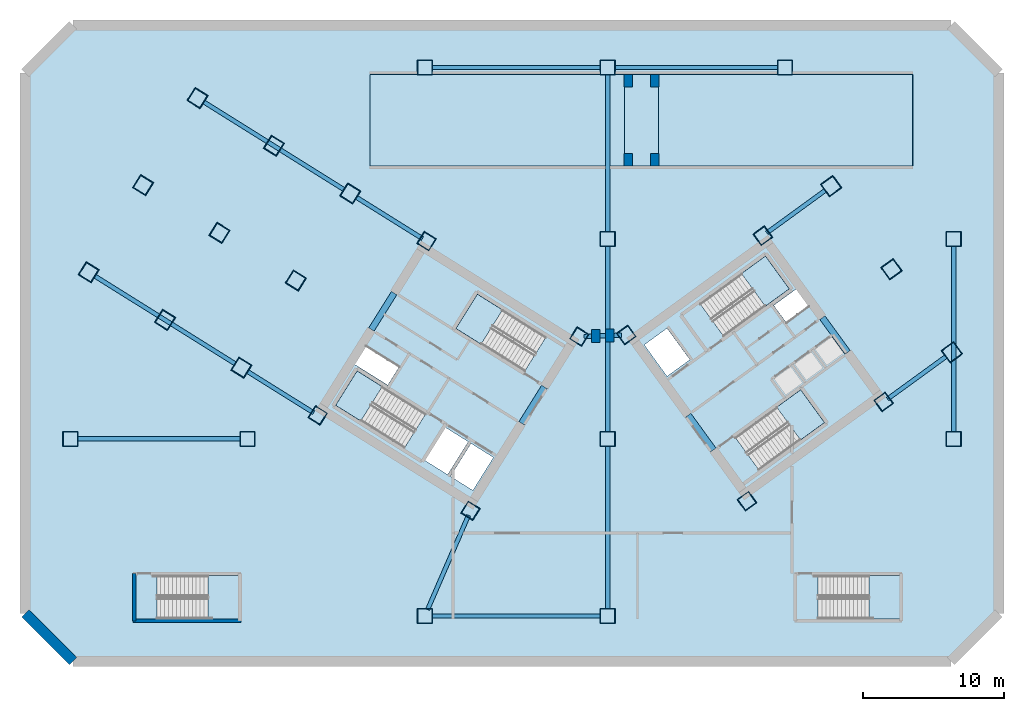
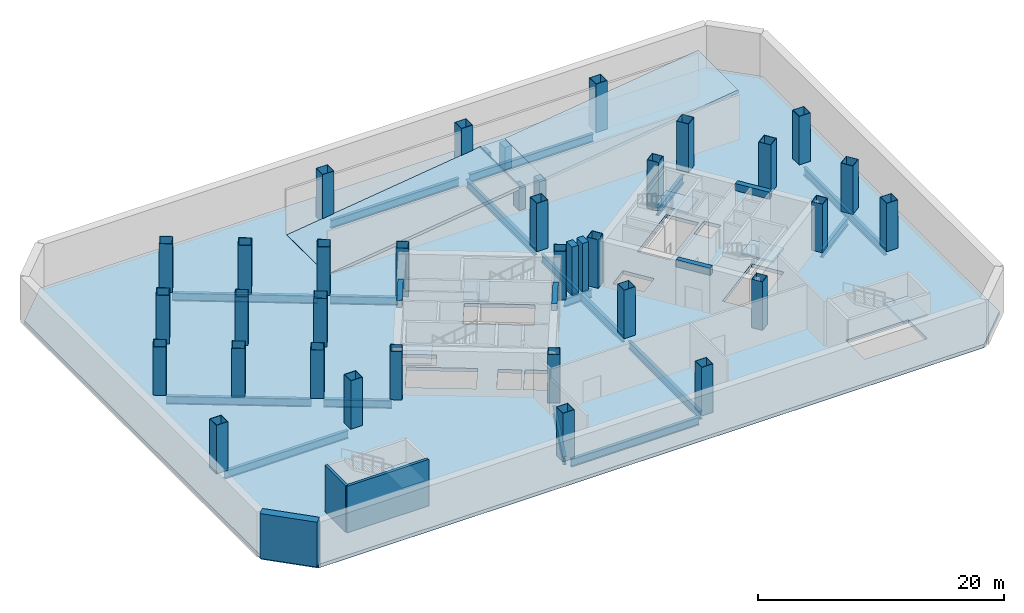
# One storey, part 1 of 9: 37 columns, 20 beams, 10 slabs, 3 walls, 6 elements without a shape of their own.
"""IFC4 building model written with IfcOpenShell, lengths in metres."""

from ifc_helpers import new_model, si_unit, direction, frame, frame_2d, origin, origin_2d, place, context, subcontext, project, spatial, polyline, rectangle, hollow_rectangle, i_section, outline, extrude, source, transform, mapped, material, layer, layer_set, material_profile, profile_set, type_object, element, aggregate, save


model = new_model("IFC4")

# Units and contexts
model_context = context("Model", 3, precision=1e-05, world=origin(), true_north=direction((0.0, 1.0)))
body_context = subcontext(model_context, "Body", "Model", "MODEL_VIEW")
ifc_project = project(units=[si_unit("LENGTHUNIT", "METRE"), si_unit("AREAUNIT", "SQUARE_METRE"), si_unit("VOLUMEUNIT", "CUBIC_METRE"), si_unit("PLANEANGLEUNIT", "RADIAN"), si_unit("MASSUNIT", "GRAM", prefix="KILO")], contexts=[model_context])

# Site, building, storey
site_placement = place(None, origin())
site = spatial("IfcSite", under=ifc_project, at=site_placement, CompositionType="ELEMENT")
building_placement = place(site_placement, origin())
building = spatial("IfcBuilding", under=site, at=building_placement, Name="Tlacorven Tower", CompositionType="ELEMENT")
storey_placement = place(building_placement, frame((0.0, 0.0, -4.800048828125)))
storey = spatial("IfcBuildingStorey", under=building, at=storey_placement, Name="B1", CompositionType="ELEMENT", Elevation=-4.800048828125)

# Columns
ifc_material_1 = material(Name="Precast concrete C50/60", Category="concrete")
ifc_material_profile_1 = material_profile(ifc_material_1, rectangle(XDim=0.60009765625, YDim=0.89990234375, at=origin_2d()), Name="RC 600X900")
ifc_profile_set_1 = profile_set([ifc_material_profile_1], Name="Precast concrete C50/60")
column_type_1 = type_object("IfcColumnType", Name="COL-PIL-01", PredefinedType="PILASTER", material=ifc_profile_set_1)
shared_shape_1 = source(origin(), body_context, "Body", "SweptSolid", [
    extrude(rectangle(XDim=0.60009765625, YDim=0.89990234375, at=origin_2d()), origin(), (0.0, 0.0, 1.0), 4.800048828125),
])
for number, where, z_axis, x_axis, name in (
    (1, (41.962158203125, 24.509521484375, 0.0), (0.0, 0.0, 1.0), (1.0, 0.0, 0.0), "B1 Concourse Bridge Sliding Seat Support Pier"),
    (2, (42.944580078125, 24.5439453125, 0.0), (0.0, 0.0, 1.0), (1.0, 0.0, 0.0), "B1 Concourse Bridge Fixed Seat Support Pier"),
):
    element("IfcColumn", number, at=place(storey_placement, frame(where, z_axis=z_axis, x_axis=x_axis)), inside=storey, type_object=column_type_1, Name=name, PredefinedType="PILASTER", context=body_context, shape_type="MappedRepresentation", body=[
        mapped(shared_shape_1, transform((0.0, 0.0, 0.0), scale=1.0)),
    ])
ifc_material_2 = material(Name="Steel S460M", Category="steel")
ifc_material_profile_2 = material_profile(ifc_material_2, hollow_rectangle(XDim=1.080078125, YDim=1.080078125, WallThickness=0.0400390625, at=origin_2d()), Name="BOX 1080X1080X40")
ifc_profile_set_2 = profile_set([ifc_material_profile_2], Name="Steel S460M")
column_type_2 = type_object("IfcColumnType", Name="COL-POD-M1", PredefinedType="COLUMN", material=ifc_profile_set_2)
shared_shape_2 = source(origin(), body_context, "Body", "SweptSolid", [
    extrude(hollow_rectangle(XDim=1.080078125, YDim=1.080078125, WallThickness=0.0400390625, at=origin_2d()), origin(), (0.0, 0.0, 1.0), 4.800048828125),
])
for number, where, z_axis, x_axis, name in (
    (3, (4.60009765625, 17.199951171875, 0.0), (0.0, 0.0, 1.0), (1.0, 0.0, 0.0), "B1 column COL-B1-P01"),
    (4, (17.199951171875, 17.199951171875, 0.0), (0.0, 0.0, 1.0), (1.0, 0.0, 0.0), "B1 column COL-B1-P02"),
    (5, (29.800048828125, 4.60009765625, 0.0), (0.0, 0.0, 1.0), (1.0, 0.0, 0.0), "B1 column COL-B1-P03"),
    (6, (29.800048828125, 43.60009765625, 0.0), (0.0, 0.0, 1.0), (1.0, 0.0, 0.0), "B1 column COL-B1-P04"),
    (7, (42.800048828125, 4.60009765625, 0.0), (0.0, 0.0, 1.0), (1.0, 0.0, 0.0), "B1 column COL-B1-P05"),
    (8, (42.800048828125, 17.199951171875, 0.0), (0.0, 0.0, 1.0), (1.0, 0.0, 0.0), "B1 column COL-B1-P06"),
    (9, (42.800048828125, 31.39990234375, 0.0), (0.0, 0.0, 1.0), (1.0, 0.0, 0.0), "B1 column COL-B1-P07"),
    (10, (42.800048828125, 43.60009765625, 0.0), (0.0, 0.0, 1.0), (1.0, 0.0, 0.0), "B1 column COL-B1-P08"),
    (11, (55.39990234375, 43.60009765625, 0.0), (0.0, 0.0, 1.0), (1.0, 0.0, 0.0), "B1 column COL-B1-P09"),
    (12, (67.39990234375, 17.199951171875, 0.0), (0.0, 0.0, 1.0), (1.0, 0.0, 0.0), "B1 column COL-B1-P10"),
    (13, (67.39990234375, 31.39990234375, 0.0), (0.0, 0.0, 1.0), (1.0, 0.0, 0.0), "B1 column COL-B1-P11"),
    (14, (24.50048828125, 34.642822265625, 0.0), (0.0, 0.0, 1.0), (-0.848048096156, 0.529919264233, 0.0), "B1 column COL-B1-WT11"),
    (15, (20.632080078125, 28.4521484375, 0.0), (0.0, 0.0, 1.0), (-0.848048096156, 0.529919264233, 0.0), "B1 column COL-B1-WT12"),
    (16, (16.763671875, 22.26123046875, 0.0), (0.0, 0.0, 1.0), (-0.848048096156, 0.529919264233, 0.0), "B1 column COL-B1-WT13"),
    (17, (19.072998046875, 38.034423828125, 0.0), (0.0, 0.0, 1.0), (-0.848048096156, 0.529919264233, 0.0), "B1 column COL-B1-WT21"),
    (18, (15.20458984375, 31.843505859375, 0.0), (0.0, 0.0, 1.0), (-0.848048096156, 0.529919264233, 0.0), "B1 column COL-B1-WT22"),
    (19, (11.336181640625, 25.65283203125, 0.0), (0.0, 0.0, 1.0), (-0.848048096156, 0.529919264233, 0.0), "B1 column COL-B1-WT23"),
    (20, (13.6455078125, 41.42578125, 0.0), (0.0, 0.0, 1.0), (-0.848048096156, 0.529919264233, 0.0), "B1 column COL-B1-WT31"),
    (21, (9.777099609375, 35.235107421875, 0.0), (0.0, 0.0, 1.0), (-0.848048096156, 0.529919264233, 0.0), "B1 column COL-B1-WT32"),
    (22, (5.90869140625, 29.044189453125, 0.0), (0.0, 0.0, 1.0), (-0.848048096156, 0.529919264233, 0.0), "B1 column COL-B1-WT33"),
    (23, (67.267822265625, 23.353515625, 0.0), (0.0, 0.0, 1.0), (0.809016994375, 0.587785252292, 0.0), "B1 column COL-B1-ET11"),
    (24, (62.976806640625, 29.25927734375, 0.0), (0.0, 0.0, 1.0), (0.809016994375, 0.587785252292, 0.0), "B1 column COL-B1-ET12"),
    (25, (58.68603515625, 35.165283203125, 0.0), (0.0, 0.0, 1.0), (0.809016994375, 0.587785252292, 0.0), "B1 column COL-B1-ET13"),
):
    element("IfcColumn", number, at=place(storey_placement, frame(where, z_axis=z_axis, x_axis=x_axis)), inside=storey, type_object=column_type_2, Name=name, PredefinedType="COLUMN", context=body_context, shape_type="MappedRepresentation", body=[
        mapped(shared_shape_2, transform((0.0, 0.0, 0.0), scale=1.0)),
    ])
ifc_material_profile_3 = material_profile(ifc_material_2, hollow_rectangle(XDim=1.0, YDim=1.0, WallThickness=0.0400390625, at=origin_2d()), Name="BOX 1000X1000X40")
ifc_profile_set_3 = profile_set([ifc_material_profile_3], Name="Steel S460M")
column_type_3 = type_object("IfcColumnType", Name="COL-TWR-S1", PredefinedType="COLUMN", material=ifc_profile_set_3)
shared_shape_3 = source(origin(), body_context, "Body", "SweptSolid", [
    extrude(hollow_rectangle(XDim=1.0, YDim=1.0, WallThickness=0.0400390625, at=origin_2d()), origin(), (0.0, 0.0, 1.0), 4.800048828125),
])
for number, where, z_axis, x_axis, name in (
    (26, (40.782958984375, 24.468505859375, 0.0), (0.0, 0.0, 1.0), (-0.848048096156, 0.529919264233, 0.0), "B1 column COL-B1-CW11"),
    (27, (33.046142578125, 12.0869140625, 0.0), (0.0, 0.0, 1.0), (-0.848048096156, 0.529919264233, 0.0), "B1 column COL-B1-CW12"),
    (28, (29.927978515625, 31.25146484375, 0.0), (0.0, 0.0, 1.0), (-0.848048096156, 0.529919264233, 0.0), "B1 column COL-B1-CW21"),
    (29, (22.191162109375, 18.869873046875, 0.0), (0.0, 0.0, 1.0), (-0.848048096156, 0.529919264233, 0.0), "B1 column COL-B1-CW22"),
    (30, (52.705322265625, 12.7734375, 0.0), (0.0, 0.0, 1.0), (0.809016994375, 0.587785252292, 0.0), "B1 column COL-B1-CE11"),
    (31, (44.123779296875, 24.5849609375, 0.0), (0.0, 0.0, 1.0), (0.809016994375, 0.587785252292, 0.0), "B1 column COL-B1-CE12"),
    (32, (62.41357421875, 19.826904296875, 0.0), (0.0, 0.0, 1.0), (0.809016994375, 0.587785252292, 0.0), "B1 column COL-B1-CE21"),
    (33, (53.83203125, 31.638427734375, 0.0), (0.0, 0.0, 1.0), (0.809016994375, 0.587785252292, 0.0), "B1 column COL-B1-CE22"),
):
    element("IfcColumn", number, at=place(storey_placement, frame(where, z_axis=z_axis, x_axis=x_axis)), inside=storey, type_object=column_type_3, Name=name, PredefinedType="COLUMN", context=body_context, shape_type="MappedRepresentation", body=[
        mapped(shared_shape_3, transform((0.0, 0.0, 0.0), scale=1.0)),
    ])
shared_shape_4 = source(origin(), body_context, "Body", "SweptSolid", [
    extrude(rectangle(XDim=0.60009765625, YDim=0.89990234375, at=origin_2d()), origin(), (0.0, 0.0, 1.0), 2.199951171875),
])
for number, where, z_axis, x_axis, name in (
    (34, (44.25, 37.050048828125, 0.0), (0.0, 0.0, 1.0), (1.0, 0.0, 0.0), "B1 Vehicle Ramp Mid-Landing Support Column 1"),
    (35, (46.14990234375, 37.050048828125, 0.0), (0.0, 0.0, 1.0), (1.0, 0.0, 0.0), "B1 Vehicle Ramp Mid-Landing Support Column 2"),
    (36, (44.25, 42.64990234375, 0.0), (0.0, 0.0, 1.0), (1.0, 0.0, 0.0), "B1 Vehicle Ramp Mid-Landing Support Column 3"),
    (37, (46.14990234375, 42.64990234375, 0.0), (0.0, 0.0, 1.0), (1.0, 0.0, 0.0), "B1 Vehicle Ramp Mid-Landing Support Column 4"),
):
    element("IfcColumn", number, at=place(storey_placement, frame(where, z_axis=z_axis, x_axis=x_axis)), inside=storey, type_object=column_type_1, Name=name, PredefinedType="PILASTER", context=body_context, shape_type="MappedRepresentation", body=[
        mapped(shared_shape_4, transform((0.0, 0.0, 0.0), scale=1.0)),
    ])

# Beams
ifc_material_3 = material(Name="Concrete C60/75", Category="concrete")
ifc_material_profile_4 = material_profile(ifc_material_3, rectangle(XDim=0.449951171875, YDim=0.699951171875, at=origin_2d()), Name="RC 450X700")
ifc_profile_set_4 = profile_set([ifc_material_profile_4], Name="Concrete C60/75")
beam_type_1 = type_object("IfcBeamType", Name="BM-LNT-700", PredefinedType="LINTEL", material=ifc_profile_set_4)
shared_shape_5 = source(origin(), body_context, "Body", "SweptSolid", [
    extrude(rectangle(XDim=0.449951171875, YDim=0.699951171875, at=origin_2d()), origin(), (0.0, 0.0, 1.0), 3.050048828125),
])
for number, where, z_axis, x_axis, name in (
    (38, (38.2998046875, 20.890625, 4.10009765625), (-0.529984549635, -0.848007297815, 0.0), (0.848007297815, -0.529984549635, 0.0), "B1 W core coupling lintel beam E1"),
    (39, (50.318359375, 16.416015625, 4.10009765625), (-0.587776590479, 0.80902328748, 0.0), (-0.80902328748, -0.587776590479, 0.0), "B1 E core coupling lintel beam E1"),
    (40, (59.856689453125, 23.345947265625, 4.10009765625), (-0.587776590479, 0.80902328748, 0.0), (-0.80902328748, -0.587776590479, 0.0), "B1 E core coupling lintel beam E2"),
):
    element("IfcBeam", number, at=place(storey_placement, frame(where, z_axis=z_axis, x_axis=x_axis)), inside=storey, type_object=beam_type_1, Name=name, PredefinedType="LINTEL", context=body_context, shape_type="MappedRepresentation", body=[
        mapped(shared_shape_5, transform((0.0, 0.0, 0.0), scale=1.0)),
    ])
shared_shape_6 = source(origin(), body_context, "Body", "SweptSolid", [
    extrude(rectangle(XDim=0.449951171875, YDim=0.699951171875, at=origin_2d()), origin(), (0.0, 0.0, 1.0), 3.0498046875),
])
beam_1_placement = place(storey_placement, frame((27.622802734375, 27.562255859375, 4.10009765625), z_axis=(-0.529926983584, -0.848043272522, 0.0), x_axis=(0.848043272522, -0.529926983584, 0.0)))
element("IfcBeam", 41, at=beam_1_placement, inside=storey, type_object=beam_type_1, Name="B1 W core coupling lintel beam E2", PredefinedType="LINTEL", context=body_context, shape_type="MappedRepresentation", body=[
    mapped(shared_shape_6, transform((0.0, 0.0, 0.0), scale=1.0)),
])
ifc_material_4 = material(Name="Steel S355J2", Category="steel")
ifc_material_profile_5 = material_profile(ifc_material_4, i_section(OverallWidth=0.300048828125, OverallDepth=0.800048828125, WebThickness=0.017578125, FlangeThickness=0.032958984375, at=origin_2d()), Name="HEB 800")
ifc_profile_set_5 = profile_set([ifc_material_profile_5], Name="Steel S355J2")
beam_type_2 = type_object("IfcBeamType", Name="BM-POD-800", PredefinedType="BEAM", material=ifc_profile_set_5)
shared_shape_7 = source(origin(), body_context, "Body", "SweptSolid", [
    extrude(i_section(OverallWidth=0.300048828125, OverallDepth=0.800048828125, WebThickness=0.017578125, FlangeThickness=0.032958984375, at=origin_2d()), origin(), (0.0, 0.0, 1.0), 12.0),
])
for number, where, z_axis, x_axis, name in (
    (42, (30.300048828125, 4.60009765625, -0.75), (1.0, 0.0, 0.0), (0.0, 1.0, 0.0), "B1 beam BM-B1-GX1-1"),
    (43, (30.300048828125, 43.60009765625, -0.75), (1.0, 0.0, 0.0), (0.0, 1.0, 0.0), "B1 beam BM-B1-GX4-1"),
):
    element("IfcBeam", number, at=place(storey_placement, frame(where, z_axis=z_axis, x_axis=x_axis)), inside=storey, type_object=beam_type_2, Name=name, PredefinedType="BEAM", context=body_context, shape_type="MappedRepresentation", body=[
        mapped(shared_shape_7, transform((0.0, 0.0, 0.0), scale=1.0)),
    ])
shared_shape_8 = source(origin(), body_context, "Body", "SweptSolid", [
    extrude(i_section(OverallWidth=0.300048828125, OverallDepth=0.800048828125, WebThickness=0.017578125, FlangeThickness=0.032958984375, at=origin_2d()), origin(), (0.0, 0.0, 1.0), 11.599853515625),
])
for number, where, z_axis, x_axis, name in (
    (44, (5.10009765625, 17.199951171875, -0.75), (1.0, 0.0, 0.0), (0.0, 1.0, 0.0), "B1 beam BM-B1-GX2-1"),
    (45, (43.300048828125, 43.60009765625, -0.75), (1.0, 0.0, 0.0), (0.0, 1.0, 0.0), "B1 beam BM-B1-GX4-2"),
    (46, (42.800048828125, 5.10009765625, -0.75), (0.0, 1.0, 0.0), (-1.0, 0.0, 0.0), "B1 beam BM-B1-GY4-1"),
):
    element("IfcBeam", number, at=place(storey_placement, frame(where, z_axis=z_axis, x_axis=x_axis)), inside=storey, type_object=beam_type_2, Name=name, PredefinedType="BEAM", context=body_context, shape_type="MappedRepresentation", body=[
        mapped(shared_shape_8, transform((0.0, 0.0, 0.0), scale=1.0)),
    ])
shared_shape_9 = source(origin(), body_context, "Body", "SweptSolid", [
    extrude(i_section(OverallWidth=0.300048828125, OverallDepth=0.800048828125, WebThickness=0.017578125, FlangeThickness=0.032958984375, at=origin_2d()), origin(), (0.0, 0.0, 1.0), 13.199951171875),
])
for number, where, z_axis, x_axis, name in (
    (47, (42.800048828125, 17.699951171875, -0.75), (0.0, 1.0, 0.0), (-1.0, 0.0, 0.0), "B1 beam BM-B1-GY4-2"),
    (48, (67.39990234375, 17.699951171875, -0.75), (0.0, 1.0, 0.0), (-1.0, 0.0, 0.0), "B1 beam BM-B1-GY6-1"),
):
    element("IfcBeam", number, at=place(storey_placement, frame(where, z_axis=z_axis, x_axis=x_axis)), inside=storey, type_object=beam_type_2, Name=name, PredefinedType="BEAM", context=body_context, shape_type="MappedRepresentation", body=[
        mapped(shared_shape_9, transform((0.0, 0.0, 0.0), scale=1.0)),
    ])
shared_shape_10 = source(origin(), body_context, "Body", "SweptSolid", [
    extrude(i_section(OverallWidth=0.300048828125, OverallDepth=0.800048828125, WebThickness=0.017578125, FlangeThickness=0.032958984375, at=origin_2d()), origin(), (0.0, 0.0, 1.0), 11.2001953125),
])
beam_2_placement = place(storey_placement, frame((42.800048828125, 31.89990234375, -0.75), z_axis=(0.0, 1.0, 0.0), x_axis=(-1.0, 0.0, 0.0)))
element("IfcBeam", 49, at=beam_2_placement, inside=storey, type_object=beam_type_2, Name="B1 beam BM-B1-GY4-3", PredefinedType="BEAM", context=body_context, shape_type="MappedRepresentation", body=[
    mapped(shared_shape_10, transform((0.0, 0.0, 0.0), scale=1.0)),
])
shared_shape_11 = source(origin(), body_context, "Body", "SweptSolid", [
    extrude(i_section(OverallWidth=0.300048828125, OverallDepth=0.800048828125, WebThickness=0.017578125, FlangeThickness=0.032958984375, at=origin_2d()), origin(), (0.0, 0.0, 1.0), 5.550048828125),
])
beam_3_placement = place(storey_placement, frame((29.631103515625, 31.436767578125, -0.75), z_axis=(-0.848032900817, 0.529943581084, 0.0), x_axis=(-0.529943581084, -0.848032900817, 0.0)))
element("IfcBeam", 50, at=beam_3_placement, inside=storey, type_object=beam_type_2, Name="B1 beam BM-B1-WTG2-1", PredefinedType="BEAM", context=body_context, shape_type="MappedRepresentation", body=[
    mapped(shared_shape_11, transform((0.0, 0.0, 0.0), scale=1.0)),
])
shared_shape_12 = source(origin(), body_context, "Body", "SweptSolid", [
    extrude(i_section(OverallWidth=0.300048828125, OverallDepth=0.800048828125, WebThickness=0.017578125, FlangeThickness=0.032958984375, at=origin_2d()), origin(), (0.0, 0.0, 1.0), 11.800048828125),
])
for number, where, z_axis, x_axis, name in (
    (51, (24.076416015625, 34.90771484375, -0.75), (-0.848045956394, 0.529922688554, 0.0), (-0.529922688554, -0.848045956394, 0.0), "B1 beam BM-B1-WTG3-1"),
    (52, (16.339599609375, 22.5263671875, -0.75), (-0.848055254246, 0.529907808723, 0.0), (-0.529907808723, -0.848055254246, 0.0), "B1 beam BM-B1-WTG3-2"),
):
    element("IfcBeam", number, at=place(storey_placement, frame(where, z_axis=z_axis, x_axis=x_axis)), inside=storey, type_object=beam_type_2, Name=name, PredefinedType="BEAM", context=body_context, shape_type="MappedRepresentation", body=[
        mapped(shared_shape_12, transform((0.0, 0.0, 0.0), scale=1.0)),
    ])
shared_shape_13 = source(origin(), body_context, "Body", "SweptSolid", [
    extrude(i_section(OverallWidth=0.300048828125, OverallDepth=0.800048828125, WebThickness=0.017578125, FlangeThickness=0.032958984375, at=origin_2d()), origin(), (0.0, 0.0, 1.0), 5.150146484375),
])
for number, where, z_axis, x_axis, name in (
    (53, (62.69677734375, 20.032470703125, -0.75), (0.809020934422, 0.587779829245, 0.0), (-0.587779829245, 0.809020934422, 0.0), "B1 beam BM-B1-ETG2-1"),
    (54, (54.114990234375, 31.84423828125, -0.75), (0.809020934422, 0.587779829245, 0.0), (-0.587779829245, 0.809020934422, 0.0), "B1 beam BM-B1-ETG2-2"),
):
    element("IfcBeam", number, at=place(storey_placement, frame(where, z_axis=z_axis, x_axis=x_axis)), inside=storey, type_object=beam_type_2, Name=name, PredefinedType="BEAM", context=body_context, shape_type="MappedRepresentation", body=[
        mapped(shared_shape_13, transform((0.0, 0.0, 0.0), scale=1.0)),
    ])
shared_shape_14 = source(origin(), body_context, "Body", "SweptSolid", [
    extrude(i_section(OverallWidth=0.300048828125, OverallDepth=0.800048828125, WebThickness=0.017578125, FlangeThickness=0.032958984375, at=origin_2d()), origin(), (0.0, 0.0, 1.0), 5.5498046875),
])
beam_4_placement = place(storey_placement, frame((21.894287109375, 19.055419921875, -0.75), z_axis=(-0.848052670068, 0.529911944374, 0.0), x_axis=(-0.529911944374, -0.848052670068, 0.0)))
element("IfcBeam", 55, at=beam_4_placement, inside=storey, type_object=beam_type_2, Name="B1 beam BM-B1-WTG2-2", PredefinedType="BEAM", context=body_context, shape_type="MappedRepresentation", body=[
    mapped(shared_shape_14, transform((0.0, 0.0, 0.0), scale=1.0)),
])
shared_shape_15 = source(origin(), body_context, "Body", "SweptSolid", [
    extrude(i_section(OverallWidth=0.300048828125, OverallDepth=0.800048828125, WebThickness=0.017578125, FlangeThickness=0.032958984375, at=origin_2d()), origin(), (0.0, 0.0, 1.0), 2.642822265625),
])
beam_5_placement = place(storey_placement, frame((41.1328125, 24.480712890625, -0.75), z_axis=(0.999393314814, 0.034828182629, 0.0), x_axis=(-0.034828182629, 0.999393314814, 0.0)))
element("IfcBeam", 56, at=beam_5_placement, inside=storey, type_object=beam_type_2, Name="B1 beam BM-B1-PKNK1", PredefinedType="BEAM", context=body_context, shape_type="MappedRepresentation", body=[
    mapped(shared_shape_15, transform((0.0, 0.0, 0.0), scale=1.0)),
])
shared_shape_16 = source(origin(), body_context, "Body", "SweptSolid", [
    extrude(i_section(OverallWidth=0.300048828125, OverallDepth=0.800048828125, WebThickness=0.017578125, FlangeThickness=0.032958984375, at=origin_2d()), origin(), (0.0, 0.0, 1.0), 7.310302734375),
])
beam_6_placement = place(storey_placement, frame((32.906982421875, 11.765869140625, -0.75), z_axis=(-0.397817365016, -0.917464628251, 0.0), x_axis=(0.917464628251, -0.397817365016, 0.0)))
element("IfcBeam", 57, at=beam_6_placement, inside=storey, type_object=beam_type_2, Name="B1 beam BM-B1-PKNK2", PredefinedType="BEAM", context=body_context, shape_type="MappedRepresentation", body=[
    mapped(shared_shape_16, transform((0.0, 0.0, 0.0), scale=1.0)),
])

# Slab
ifc_material_5 = material(Name="Concrete C40/50", Category="concrete")
ifc_layer_1 = layer(ifc_material_5, 0.199951171875)
ifc_layer_set_1 = layer_set([ifc_layer_1], Name="Concrete C40/50")
slab_type_1 = type_object("IfcSlabType", Name="SL-LND-200", PredefinedType="LANDING", material=ifc_layer_set_1)
slab_1_placement = place(storey_placement, frame((0.0, 0.0, 2.199951171875)))
element("IfcSlab", 58, at=slab_1_placement, inside=storey, type_object=slab_type_1, Name="B1 Vehicle Ramp Mid-Landing", PredefinedType="LANDING", context=body_context, shape_type="SweptSolid", body=[
    extrude(outline(polyline([(44.0, 36.60009765625), (46.39990234375, 36.60009765625), (46.39990234375, 43.10009765625), (44.0, 43.10009765625), (44.0, 36.60009765625)])), origin(), (0.0, 0.0, 1.0), 0.2001953125),
])

# Stair, slab
stair_type_1 = type_object("IfcStairType", Name="ST-CORE-DLG", PredefinedType="HALF_TURN_STAIR", material=ifc_material_5)
stair_1_placement = place(storey_placement, origin())
stair_1 = element("IfcStair", 59, at=stair_1_placement, inside=storey, type_object=stair_type_1, Name="B1 Protected Exit Stair West 1", PredefinedType="HALF_TURN_STAIR")
slab_2_placement = place(storey_placement, frame((0.0, 0.0, 2.199951171875)))
slab_2 = element("IfcSlab", 60, at=slab_2_placement, type_object=slab_type_1, Name="ST-W1 landing 1", PredefinedType="LANDING", context=body_context, shape_type="SweptSolid", body=[
    extrude(outline(polyline([(26.778564453125, 20.90869140625), (24.9892578125, 22.02685546875), (23.463134765625, 19.58447265625), (25.25244140625, 18.46630859375), (26.778564453125, 20.90869140625)])), origin(), (0.0, 0.0, 1.0), 0.2001953125),
])
aggregate(stair_1, [slab_2])

stair_2_placement = place(storey_placement, origin())
stair_2 = element("IfcStair", 61, at=stair_2_placement, inside=storey, type_object=stair_type_1, Name="B1 Protected Exit Stair West 2", PredefinedType="HALF_TURN_STAIR")
slab_3_placement = place(storey_placement, frame((0.0, 0.0, 2.199951171875)))
slab_3 = element("IfcSlab", 62, at=slab_3_placement, type_object=slab_type_1, Name="ST-W2 landing 1", PredefinedType="LANDING", context=body_context, shape_type="SweptSolid", body=[
    extrude(outline(polyline([(35.330078125, 26.366455078125), (33.540771484375, 27.484375), (32.0146484375, 25.0419921875), (33.803955078125, 23.924072265625), (35.330078125, 26.366455078125)])), origin(), (0.0, 0.0, 1.0), 0.2001953125),
])
aggregate(stair_2, [slab_3])

stair_3_placement = place(storey_placement, origin())
stair_3 = element("IfcStair", 63, at=stair_3_placement, inside=storey, type_object=stair_type_1, Name="B1 Protected Exit Stair East 1", PredefinedType="HALF_TURN_STAIR")
slab_4_placement = place(storey_placement, frame((0.0, 0.0, 2.199951171875)))
slab_4 = element("IfcSlab", 64, at=slab_4_placement, type_object=slab_type_1, Name="ST-E1 landing 1", PredefinedType="LANDING", context=body_context, shape_type="SweptSolid", body=[
    extrude(outline(polyline([(54.00390625, 26.621337890625), (55.7109375, 27.861572265625), (54.01806640625, 30.19140625), (52.31103515625, 28.951171875), (54.00390625, 26.621337890625)])), origin(), (0.0, 0.0, 1.0), 0.2001953125),
])
aggregate(stair_3, [slab_4])

stair_4_placement = place(storey_placement, origin())
stair_4 = element("IfcStair", 65, at=stair_4_placement, inside=storey, type_object=stair_type_1, Name="B1 Protected Exit Stair East 2", PredefinedType="HALF_TURN_STAIR")
slab_5_placement = place(storey_placement, frame((0.0, 0.0, 2.199951171875)))
slab_5 = element("IfcSlab", 66, at=slab_5_placement, type_object=slab_type_1, Name="ST-E2 landing 1", PredefinedType="LANDING", context=body_context, shape_type="SweptSolid", body=[
    extrude(outline(polyline([(56.5078125, 17.1181640625), (58.21484375, 18.3583984375), (56.52197265625, 20.6884765625), (54.81494140625, 19.4482421875), (56.5078125, 17.1181640625)])), origin(), (0.0, 0.0, 1.0), 0.2001953125),
])
aggregate(stair_4, [slab_5])

stair_type_2 = type_object("IfcStairType", Name="ST-POD-DLG", PredefinedType="HALF_TURN_STAIR", material=ifc_material_5)
stair_5_placement = place(storey_placement, origin())
stair_5 = element("IfcStair", 67, at=stair_5_placement, inside=storey, type_object=stair_type_2, Name="B1 Podium Station Exit Stair 1", PredefinedType="HALF_TURN_STAIR")
slab_6_placement = place(storey_placement, frame((0.0, 0.0, 2.199951171875)))
slab_6 = element("IfcSlab", 68, at=slab_6_placement, type_object=slab_type_1, Name="ST-P1 landing 1", PredefinedType="LANDING", context=body_context, shape_type="SweptSolid", body=[
    extrude(outline(polyline([(14.389892578125, 4.39990234375), (16.60009765625, 4.39990234375), (16.60009765625, 7.47998046875), (14.389892578125, 7.47998046875), (14.389892578125, 4.39990234375)])), origin(), (0.0, 0.0, 1.0), 0.2001953125),
])
aggregate(stair_5, [slab_6])

stair_6_placement = place(storey_placement, origin())
stair_6 = element("IfcStair", 69, at=stair_6_placement, inside=storey, type_object=stair_type_2, Name="B1 Podium Station Exit Stair 2", PredefinedType="HALF_TURN_STAIR")
slab_7_placement = place(storey_placement, frame((0.0, 0.0, 2.199951171875)))
slab_7 = element("IfcSlab", 70, at=slab_7_placement, type_object=slab_type_1, Name="ST-P2 landing 1", PredefinedType="LANDING", context=body_context, shape_type="SweptSolid", body=[
    extrude(outline(polyline([(61.389892578125, 4.39990234375), (63.60009765625, 4.39990234375), (63.60009765625, 7.47998046875), (61.389892578125, 7.47998046875), (61.389892578125, 4.39990234375)])), origin(), (0.0, 0.0, 1.0), 0.2001953125),
])
aggregate(stair_6, [slab_7])

# Slabs
ifc_layer_2 = layer(ifc_material_5, 0.35009765625)
ifc_layer_set_2 = layer_set([ifc_layer_2], Name="Concrete C40/50")
slab_type_2 = type_object("IfcSlabType", Name="SL-POD-350", PredefinedType="FLOOR", material=ifc_layer_set_2)
slab_8_placement = place(storey_placement, frame((0.0, 0.0, -0.349853515625)))
element("IfcSlab", 71, at=slab_8_placement, inside=storey, type_object=slab_type_2, Name="B1 Structural Podium Floor Slab", PredefinedType="FLOOR", context=body_context, shape_type="SweptSolid", body=[
    extrude(outline(polyline([(4.800048828125, 1.39990234375), (67.199951171875, 1.39990234375), (70.60009765625, 4.800048828125), (70.60009765625, 43.199951171875), (67.199951171875, 46.60009765625), (4.800048828125, 46.60009765625), (1.39990234375, 43.199951171875), (1.39990234375, 4.800048828125), (4.800048828125, 1.39990234375)]), holes=[polyline([(29.865478515625, 18.979736328125), (24.9892578125, 22.02685546875), (23.463134765625, 19.58447265625), (28.33935546875, 16.537353515625), (29.865478515625, 18.979736328125)]), polyline([(38.4169921875, 24.4375), (33.540771484375, 27.484375), (32.0146484375, 25.0419921875), (36.890869140625, 21.9951171875), (38.4169921875, 24.4375)]), polyline([(51.05908203125, 24.481689453125), (55.7109375, 27.861572265625), (54.01806640625, 30.19140625), (49.3662109375, 26.811767578125), (51.05908203125, 24.481689453125)]), polyline([(53.56298828125, 14.978759765625), (58.21484375, 18.3583984375), (56.52197265625, 20.6884765625), (51.8701171875, 17.30859375), (53.56298828125, 14.978759765625)]), polyline([(10.75, 4.39990234375), (16.60009765625, 4.39990234375), (16.60009765625, 7.47998046875), (10.75, 7.47998046875), (10.75, 4.39990234375)]), polyline([(57.75, 4.39990234375), (63.60009765625, 4.39990234375), (63.60009765625, 7.47998046875), (57.75, 7.47998046875), (57.75, 4.39990234375)]), polyline([(25.9150390625, 36.594970703125), (28.300048828125, 36.594970703125), (28.300048828125, 43.10498046875), (25.9150390625, 43.10498046875), (25.9150390625, 36.594970703125)]), polyline([(34.682373046875, 15.87548828125), (33.088134765625, 16.871826171875), (31.62548828125, 14.531005859375), (33.2197265625, 13.534912109375), (34.682373046875, 15.87548828125)]), polyline([(32.884521484375, 16.9990234375), (31.2392578125, 18.02685546875), (29.77685546875, 15.686279296875), (31.421875, 14.658203125), (32.884521484375, 16.9990234375)]), polyline([(47.0234375, 21.648681640625), (48.6416015625, 22.82421875), (47.019287109375, 25.05712890625), (45.401123046875, 23.881591796875), (47.0234375, 21.648681640625)]), polyline([(27.96142578125, 22.2919921875), (25.603759765625, 23.76513671875), (24.80908203125, 22.4931640625), (27.16650390625, 21.02001953125), (27.96142578125, 22.2919921875)]), polyline([(55.490478515625, 25.4765625), (57.092529296875, 26.640380859375), (56.210693359375, 27.85400390625), (54.60888671875, 26.690185546875), (55.490478515625, 25.4765625)])]), origin(), (0.0, 0.0, 1.0), 0.349853515625),
])
ifc_layer_3 = layer(ifc_material_5, 0.300048828125)
ifc_layer_set_3 = layer_set([ifc_layer_3], Name="Concrete C40/50")
slab_type_3 = type_object("IfcSlabType", Name="SL-RMP-300", PredefinedType="FLOOR", material=ifc_layer_set_3)
slab_9_placement = place(storey_placement, frame((25.919921875, 36.60009765625, 0.0), z_axis=(-0.131026109655, 0.0, 0.991378917765), x_axis=(0.991378917765, 0.0, 0.131026109655)))
element("IfcSlab", 72, at=slab_9_placement, inside=storey, type_object=slab_type_3, Name="B1 Two-Way Vehicle Car Park Ramp Lower Slab", PredefinedType="FLOOR", context=body_context, shape_type="SweptSolid", body=[
    extrude(outline(polyline([(0.0, 0.0), (18.318115234375, 0.0), (18.318115234375, 6.5), (0.0, 6.5), (0.0, 0.0)])), origin(), (0.0, 0.0, -1.0), 0.300048828125),
])
slab_10_placement = place(storey_placement, frame((46.320068359375, 36.60009765625, 2.400146484375), z_axis=(-0.131014741676, 0.0, 0.991380420153), x_axis=(0.991380420153, 0.0, 0.131014741676)))
element("IfcSlab", 73, at=slab_10_placement, inside=storey, type_object=slab_type_3, Name="B1 Two-Way Vehicle Car Park Ramp Upper Slab", PredefinedType="FLOOR", context=body_context, shape_type="SweptSolid", body=[
    extrude(outline(polyline([(0.0, 0.0), (18.31787109375, 0.0), (18.31787109375, 6.5), (0.0, 6.5), (0.0, 0.0)])), origin(), (0.0, 0.0, -1.0), 0.300048828125),
])

# Walls
ifc_material_6 = material(Name="Concrete C50/60", Category="concrete")
ifc_layer_4 = layer(ifc_material_6, 0.75)
ifc_layer_set_4 = layer_set([ifc_layer_4], Name="Concrete C50/60")
wall_type_1 = type_object("IfcWallType", Name="WL-RET-750", PredefinedType="USERDEFINED", material=ifc_layer_set_4)
wall_1_placement = place(storey_placement, frame((1.39990234375, 4.800048828125, 0.0), z_axis=(0.0, 0.0, 1.0), x_axis=(0.707106781187, -0.707106781187, 0.0)))
element("IfcWall", 74, at=wall_1_placement, inside=storey, type_object=wall_type_1, Name="B1 Diaphragm Retaining Wall 8", ObjectType="RETAINING WALL", PredefinedType="USERDEFINED", context=body_context, shape_type="SweptSolid", body=[
    extrude(rectangle(XDim=4.80859375, YDim=0.75, at=frame_2d((2.404296875, 0.0))), origin(), (0.0, 0.0, 1.0), 4.449951171875),
])
ifc_layer_5 = layer(ifc_material_6, 0.260009765625)
ifc_layer_set_5 = layer_set([ifc_layer_5], Name="Concrete C50/60")
wall_type_2 = type_object("IfcWallType", Name="WL-STW-260", PredefinedType="SHEAR", material=ifc_layer_set_5)
wall_2_placement = place(storey_placement, frame((9.070068359375, 4.260009765625, 0.0), z_axis=(0.0, 0.0, 1.0), x_axis=(1.0, 0.0, 0.0)))
element("IfcWall", 75, at=wall_2_placement, inside=storey, type_object=wall_type_2, Name="B1 Stair P1 South Wall", PredefinedType="SHEAR", context=body_context, shape_type="SweptSolid", body=[
    extrude(rectangle(XDim=7.659912109375, YDim=0.260009765625, at=frame_2d((3.830078125, 0.0))), origin(), (0.0, 0.0, 1.0), 4.60009765625),
])
wall_3_placement = place(storey_placement, frame((9.139892578125, 4.260009765625, 0.0), z_axis=(0.0, 0.0, 1.0), x_axis=(0.0, 1.0, 0.0)))
element("IfcWall", 76, at=wall_3_placement, inside=storey, type_object=wall_type_2, Name="B1 Stair P1 West Wall", PredefinedType="SHEAR", context=body_context, shape_type="SweptSolid", body=[
    extrude(rectangle(XDim=3.360107421875, YDim=0.260009765625, at=frame_2d((1.68017578125, 0.0))), origin(), (0.0, 0.0, 1.0), 4.60009765625),
])

save(model, "model.ifc")
